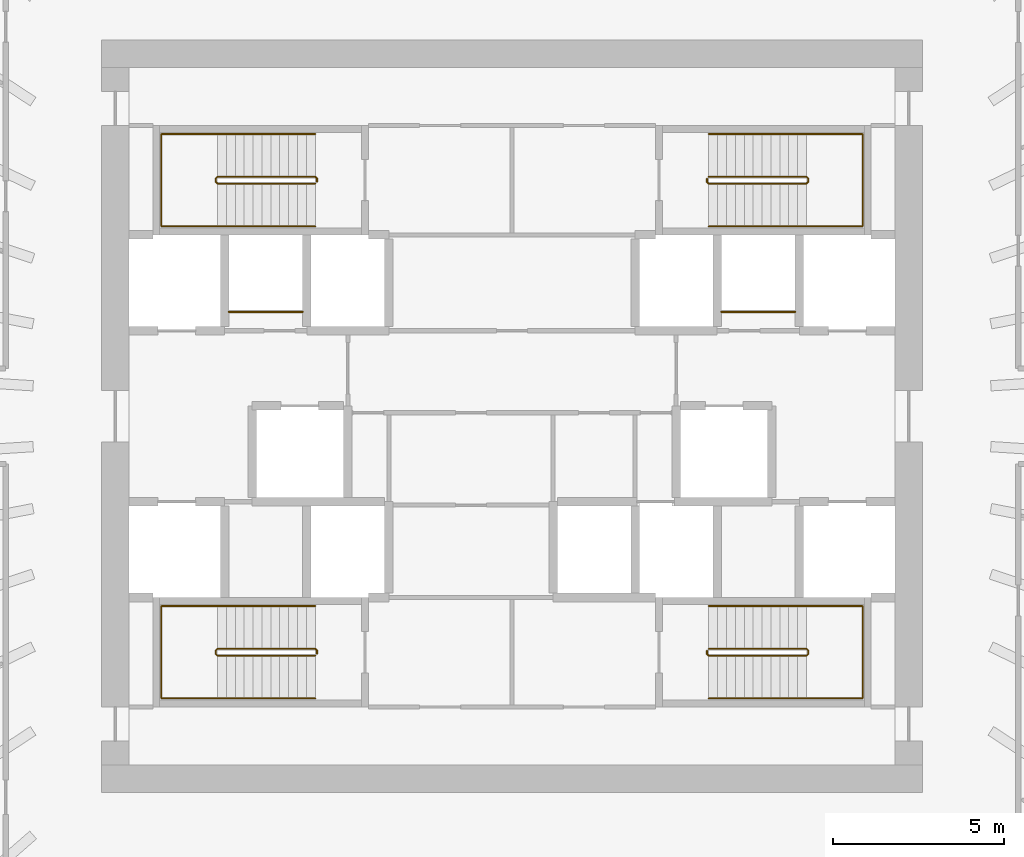
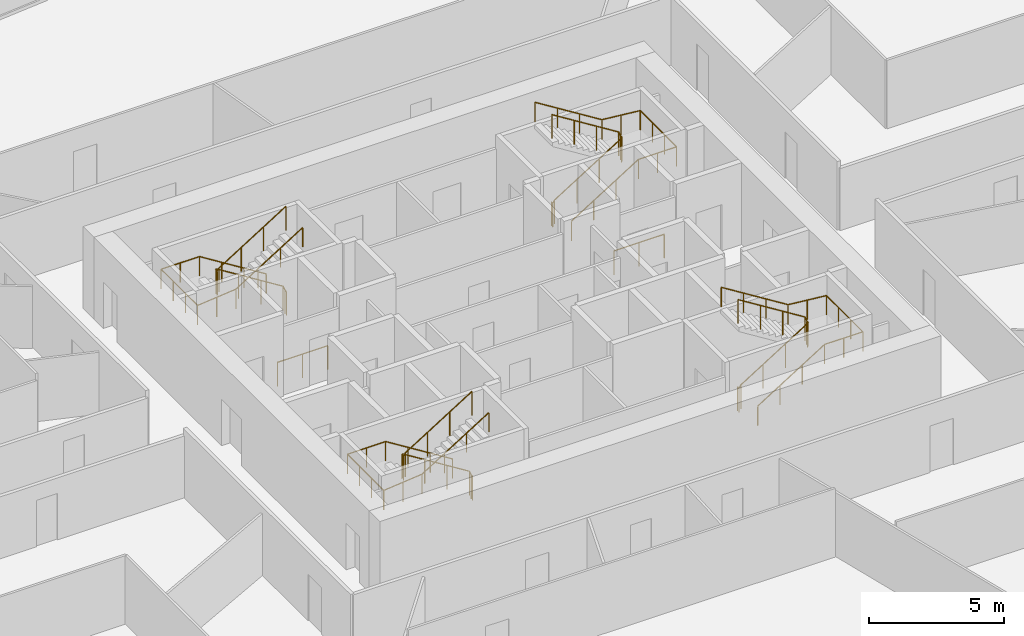
# One storey, part 11 of 11: 10 railings.
"""IFC4 building model written with IfcOpenShell, lengths in metres."""

from ifc_helpers import new_model, si_unit, direction, frame, origin, origin_2d, place, context, subcontext, project, spatial, circle, extrude, source, transform, mapped, material, type_object, element, save


model = new_model("IFC4")

# Units and contexts
model_context = context("Model", 3, precision=1e-05, world=origin(), true_north=direction((0.0, 1.0)))
body_context = subcontext(model_context, "Body", "Model", "MODEL_VIEW")
ifc_project = project(units=[si_unit("LENGTHUNIT", "METRE"), si_unit("AREAUNIT", "SQUARE_METRE"), si_unit("VOLUMEUNIT", "CUBIC_METRE"), si_unit("PLANEANGLEUNIT", "RADIAN"), si_unit("MASSUNIT", "GRAM", prefix="KILO")], contexts=[model_context])

# Site, building, storey
site_placement = place(None, origin())
site = spatial("IfcSite", under=ifc_project, at=site_placement, CompositionType="ELEMENT")
building_placement = place(site_placement, origin())
building = spatial("IfcBuilding", under=site, at=building_placement, Name="Embergate Tower", CompositionType="ELEMENT")
storey_placement = place(building_placement, frame((0.0, 0.0, 132.0)))
storey = spatial("IfcBuildingStorey", under=building, at=storey_placement, Name="L28", CompositionType="ELEMENT", Elevation=132.0)

# Railings
ifc_material_1 = material(Name="Stair guard 1100")
railing_type_1 = type_object("IfcRailingType", Name="Stair guard 1100", PredefinedType="GUARDRAIL", material=ifc_material_1)
shared_shape_1 = source(origin(), body_context, "Body", "SweptSolid", [
    extrude(circle(Radius=0.02392578125, at=origin_2d()), frame((0.0, 0.0, 1.076171875), z_axis=(0.0, 1.0, 0.0), x_axis=(-1.0, 0.0, 0.0)), (0.0, 0.0, 1.0), 0.099853515625),
    extrude(circle(Radius=0.02392578125, at=origin_2d()), frame((0.0, 0.099853515625, 1.076171875), z_axis=(-0.282227285176, 0.282227285176, 0.916894497205), x_axis=(-0.707106781187, -0.707106781187, 0.0)), (0.0, 0.0, 1.0), 0.17724609375),
    extrude(circle(Radius=0.02392578125, at=origin_2d()), frame((-0.050048828125, 0.14990234375, 1.23876953125), z_axis=(-0.848026770018, 0.0, 0.529953391661), x_axis=(0.0, -1.0, 0.0)), (0.0, 0.0, 1.0), 3.37255859375),
    extrude(circle(Radius=0.02392578125, at=origin_2d()), frame((-2.91015625, 0.14990234375, 3.02587890625), z_axis=(-0.705375805398, -0.708833529934, 0.0), x_axis=(0.708833529934, -0.705375805398, 0.0)), (0.0, 0.0, 1.0), 0.070556640625),
    extrude(circle(Radius=0.02392578125, at=origin_2d()), frame((-2.9599609375, 0.099853515625, 3.02587890625), z_axis=(0.0, -1.0, 0.0), x_axis=(1.0, 0.0, 0.0)), (0.0, 0.0, 1.0), 0.099853515625),
    extrude(circle(Radius=0.02392578125, at=origin_2d()), frame((-2.9599609375, 0.0, 3.02587890625), z_axis=(0.280959487676, -0.282336740067, 0.917250092119), x_axis=(0.708833529934, 0.705375805398, 0.0)), (0.0, 0.0, 1.0), 0.17724609375),
    extrude(circle(Radius=0.02392578125, at=origin_2d()), frame((-2.91015625, -0.050048828125, 3.1884765625), z_axis=(0.848026770018, 0.0, 0.529953391661), x_axis=(0.0, 1.0, 0.0)), (0.0, 0.0, 1.0), 3.37255859375),
    extrude(circle(Radius=0.02099609375, at=origin_2d()), origin(), (0.0, 0.0, 1.0), 1.052001953125),
    extrude(circle(Radius=0.02099609375, at=origin_2d()), frame((0.0, 0.099853515625, 0.0)), (0.0, 0.0, 1.0), 1.052001953125),
    extrude(circle(Radius=0.02099609375, at=origin_2d()), frame((-0.050048828125, 0.14990234375, 0.16259765625)), (0.0, 0.0, 1.0), 1.052001953125),
    extrude(circle(Radius=0.02099609375, at=origin_2d()), frame((-1.00341796875, 0.14990234375, 0.75830078125)), (0.0, 0.0, 1.0), 1.052001953125),
    extrude(circle(Radius=0.02099609375, at=origin_2d()), frame((-1.956787109375, 0.14990234375, 1.354248046875)), (0.0, 0.0, 1.0), 1.052001953125),
    extrude(circle(Radius=0.02099609375, at=origin_2d()), frame((-2.91015625, 0.14990234375, 1.949951171875)), (0.0, 0.0, 1.0), 1.052001953125),
    extrude(circle(Radius=0.02099609375, at=origin_2d()), frame((-2.9599609375, 0.099853515625, 1.949951171875)), (0.0, 0.0, 1.0), 1.052001953125),
    extrude(circle(Radius=0.02099609375, at=origin_2d()), frame((-2.9599609375, 0.0, 1.949951171875)), (0.0, 0.0, 1.0), 1.052001953125),
    extrude(circle(Radius=0.02099609375, at=origin_2d()), frame((-2.91015625, -0.050048828125, 2.112548828125)), (0.0, 0.0, 1.0), 1.052001953125),
    extrude(circle(Radius=0.02099609375, at=origin_2d()), frame((-1.956787109375, -0.050048828125, 2.708251953125)), (0.0, 0.0, 1.0), 1.052001953125),
    extrude(circle(Radius=0.02099609375, at=origin_2d()), frame((-1.00341796875, -0.050048828125, 3.30419921875)), (0.0, 0.0, 1.0), 1.052001953125),
    extrude(circle(Radius=0.02099609375, at=origin_2d()), frame((-0.050048828125, -0.050048828125, 3.89990234375)), (0.0, 0.0, 1.0), 1.052001953125),
])
for number, where, name in (
    (1, (-5.699951171875, 6.85009765625, 0.0), "L28 ST1 stair guard 1"),
    (2, (-5.699951171875, -6.949951171875, 0.0), "L28 ST3 stair guard 1"),
):
    element("IfcRailing", number, at=place(storey_placement, frame(where)), inside=storey, type_object=railing_type_1, Name=name, PredefinedType="GUARDRAIL", context=body_context, shape_type="MappedRepresentation", body=[
        mapped(shared_shape_1, transform((0.0, 0.0, 0.0))),
    ])
ifc_material_2 = material(Name="Stair handrail 900")
railing_type_2 = type_object("IfcRailingType", Name="Stair handrail 900", PredefinedType="HANDRAIL", material=ifc_material_2)
shared_shape_2 = source(origin(), body_context, "Body", "SweptSolid", [
    extrude(circle(Radius=0.02392578125, at=origin_2d()), frame((0.0, 0.0, 0.8759765625), z_axis=(-0.848026770018, 0.0, 0.529953391661), x_axis=(0.0, -1.0, 0.0)), (0.0, 0.0, 1.0), 3.37255859375),
    extrude(circle(Radius=0.02392578125, at=origin_2d()), frame((-2.860107421875, 0.0, 2.6630859375), z_axis=(-1.0, 0.0, 0.0), x_axis=(0.0, -1.0, 0.0)), (0.0, 0.0, 1.0), 1.639892578125),
    extrude(circle(Radius=0.02392578125, at=origin_2d()), frame((-4.5, 0.0, 2.6630859375), z_axis=(0.0, -1.0, 0.0), x_axis=(1.0, 0.0, 0.0)), (0.0, 0.0, 1.0), 2.699951171875),
    extrude(circle(Radius=0.02392578125, at=origin_2d()), frame((-4.5, -2.699951171875, 2.6630859375), z_axis=(0.995120448088, 0.0, 0.098667592441), x_axis=(0.0, 1.0, 0.0)), (0.0, 0.0, 1.0), 1.64794921875),
    extrude(circle(Radius=0.02392578125, at=origin_2d()), frame((-2.860107421875, -2.699951171875, 2.82568359375), z_axis=(0.848026770018, 0.0, 0.529953391661), x_axis=(0.0, 1.0, 0.0)), (0.0, 0.0, 1.0), 3.37255859375),
    extrude(circle(Radius=0.02099609375, at=origin_2d()), origin(), (0.0, 0.0, 1.0), 0.851806640625),
    extrude(circle(Radius=0.02099609375, at=origin_2d()), frame((-0.953369140625, 0.0, 0.595703125)), (0.0, 0.0, 1.0), 0.851806640625),
    extrude(circle(Radius=0.02099609375, at=origin_2d()), frame((-1.90673828125, 0.0, 1.191650390625)), (0.0, 0.0, 1.0), 0.851806640625),
    extrude(circle(Radius=0.02099609375, at=origin_2d()), frame((-2.860107421875, 0.0, 1.787353515625)), (0.0, 0.0, 1.0), 0.851806640625),
    extrude(circle(Radius=0.02099609375, at=origin_2d()), frame((-3.68017578125, 0.0, 1.787353515625)), (0.0, 0.0, 1.0), 0.851806640625),
    extrude(circle(Radius=0.02099609375, at=origin_2d()), frame((-4.5, 0.0, 1.787353515625)), (0.0, 0.0, 1.0), 0.851806640625),
    extrude(circle(Radius=0.02099609375, at=origin_2d()), frame((-4.5, -0.89990234375, 1.787353515625)), (0.0, 0.0, 1.0), 0.851806640625),
    extrude(circle(Radius=0.02099609375, at=origin_2d()), frame((-4.5, -1.800048828125, 1.787353515625)), (0.0, 0.0, 1.0), 0.851806640625),
    extrude(circle(Radius=0.02099609375, at=origin_2d()), frame((-4.5, -2.699951171875, 1.787353515625)), (0.0, 0.0, 1.0), 0.851806640625),
    extrude(circle(Radius=0.02099609375, at=origin_2d()), frame((-3.68017578125, -2.699951171875, 1.86865234375)), (0.0, 0.0, 1.0), 0.851806640625),
    extrude(circle(Radius=0.02099609375, at=origin_2d()), frame((-2.860107421875, -2.699951171875, 1.949951171875)), (0.0, 0.0, 1.0), 0.851806640625),
    extrude(circle(Radius=0.02099609375, at=origin_2d()), frame((-1.90673828125, -2.699951171875, 2.545654296875)), (0.0, 0.0, 1.0), 0.851806640625),
    extrude(circle(Radius=0.02099609375, at=origin_2d()), frame((-0.953369140625, -2.699951171875, 3.1416015625)), (0.0, 0.0, 1.0), 0.851806640625),
    extrude(circle(Radius=0.02099609375, at=origin_2d()), frame((0.0, -2.699951171875, 3.7373046875)), (0.0, 0.0, 1.0), 0.851806640625),
])
for number, where, name in (
    (3, (-5.75, 8.25, 0.16259765625), "L28 ST1 stair handrail 1"),
    (4, (-5.75, -5.550048828125, 0.16259765625), "L28 ST3 stair handrail 1"),
):
    element("IfcRailing", number, at=place(storey_placement, frame(where)), inside=storey, type_object=railing_type_2, Name=name, PredefinedType="HANDRAIL", context=body_context, shape_type="MappedRepresentation", body=[
        mapped(shared_shape_2, transform((0.0, 0.0, 0.0))),
    ])
shared_shape_3 = source(origin(), body_context, "Body", "SweptSolid", [
    extrude(circle(Radius=0.02392578125, at=origin_2d()), frame((0.0, 0.0, 1.076171875), z_axis=(0.0, -1.0, 0.0), x_axis=(1.0, 0.0, 0.0)), (0.0, 0.0, 1.0), 0.099853515625),
    extrude(circle(Radius=0.02392578125, at=origin_2d()), frame((0.0, -0.099853515625, 1.076171875), z_axis=(0.282227285176, -0.282227285176, 0.916894497205), x_axis=(0.707106781187, 0.707106781187, 0.0)), (0.0, 0.0, 1.0), 0.17724609375),
    extrude(circle(Radius=0.02392578125, at=origin_2d()), frame((0.050048828125, -0.14990234375, 1.23876953125), z_axis=(0.848026770018, 0.0, 0.529953391661), x_axis=(0.0, 1.0, 0.0)), (0.0, 0.0, 1.0), 3.37255859375),
    extrude(circle(Radius=0.02392578125, at=origin_2d()), frame((2.91015625, -0.14990234375, 3.02587890625), z_axis=(0.705375805398, 0.708833529934, 0.0), x_axis=(-0.708833529934, 0.705375805398, 0.0)), (0.0, 0.0, 1.0), 0.070556640625),
    extrude(circle(Radius=0.02392578125, at=origin_2d()), frame((2.9599609375, -0.099853515625, 3.02587890625), z_axis=(0.0, 1.0, 0.0), x_axis=(-1.0, 0.0, 0.0)), (0.0, 0.0, 1.0), 0.099853515625),
    extrude(circle(Radius=0.02392578125, at=origin_2d()), frame((2.9599609375, 0.0, 3.02587890625), z_axis=(-0.280959487676, 0.282336740067, 0.917250092119), x_axis=(-0.708833529934, -0.705375805398, 0.0)), (0.0, 0.0, 1.0), 0.17724609375),
    extrude(circle(Radius=0.02392578125, at=origin_2d()), frame((2.91015625, 0.050048828125, 3.1884765625), z_axis=(-0.848026770018, 0.0, 0.529953391661), x_axis=(0.0, -1.0, 0.0)), (0.0, 0.0, 1.0), 3.37255859375),
    extrude(circle(Radius=0.02099609375, at=origin_2d()), origin(), (0.0, 0.0, 1.0), 1.052001953125),
    extrude(circle(Radius=0.02099609375, at=origin_2d()), frame((0.0, -0.099853515625, 0.0)), (0.0, 0.0, 1.0), 1.052001953125),
    extrude(circle(Radius=0.02099609375, at=origin_2d()), frame((0.050048828125, -0.14990234375, 0.16259765625)), (0.0, 0.0, 1.0), 1.052001953125),
    extrude(circle(Radius=0.02099609375, at=origin_2d()), frame((1.00341796875, -0.14990234375, 0.75830078125)), (0.0, 0.0, 1.0), 1.052001953125),
    extrude(circle(Radius=0.02099609375, at=origin_2d()), frame((1.956787109375, -0.14990234375, 1.354248046875)), (0.0, 0.0, 1.0), 1.052001953125),
    extrude(circle(Radius=0.02099609375, at=origin_2d()), frame((2.91015625, -0.14990234375, 1.949951171875)), (0.0, 0.0, 1.0), 1.052001953125),
    extrude(circle(Radius=0.02099609375, at=origin_2d()), frame((2.9599609375, -0.099853515625, 1.949951171875)), (0.0, 0.0, 1.0), 1.052001953125),
    extrude(circle(Radius=0.02099609375, at=origin_2d()), frame((2.9599609375, 0.0, 1.949951171875)), (0.0, 0.0, 1.0), 1.052001953125),
    extrude(circle(Radius=0.02099609375, at=origin_2d()), frame((2.91015625, 0.050048828125, 2.112548828125)), (0.0, 0.0, 1.0), 1.052001953125),
    extrude(circle(Radius=0.02099609375, at=origin_2d()), frame((1.956787109375, 0.050048828125, 2.708251953125)), (0.0, 0.0, 1.0), 1.052001953125),
    extrude(circle(Radius=0.02099609375, at=origin_2d()), frame((1.00341796875, 0.050048828125, 3.30419921875)), (0.0, 0.0, 1.0), 1.052001953125),
    extrude(circle(Radius=0.02099609375, at=origin_2d()), frame((0.050048828125, 0.050048828125, 3.89990234375)), (0.0, 0.0, 1.0), 1.052001953125),
])
for number, where, name in (
    (5, (5.699951171875, 6.949951171875, 0.0), "L28 ST2 stair guard 1"),
    (6, (5.699951171875, -6.85009765625, 0.0), "L28 ST4 stair guard 1"),
):
    element("IfcRailing", number, at=place(storey_placement, frame(where)), inside=storey, type_object=railing_type_1, Name=name, PredefinedType="GUARDRAIL", context=body_context, shape_type="MappedRepresentation", body=[
        mapped(shared_shape_3, transform((0.0, 0.0, 0.0))),
    ])
shared_shape_4 = source(origin(), body_context, "Body", "SweptSolid", [
    extrude(circle(Radius=0.02392578125, at=origin_2d()), frame((0.0, 0.0, 0.8759765625), z_axis=(0.848026770018, 0.0, 0.529953391661), x_axis=(0.0, 1.0, 0.0)), (0.0, 0.0, 1.0), 3.37255859375),
    extrude(circle(Radius=0.02392578125, at=origin_2d()), frame((2.860107421875, 0.0, 2.6630859375), z_axis=(1.0, 0.0, 0.0), x_axis=(0.0, 1.0, 0.0)), (0.0, 0.0, 1.0), 1.639892578125),
    extrude(circle(Radius=0.02392578125, at=origin_2d()), frame((4.5, 0.0, 2.6630859375), z_axis=(0.0, 1.0, 0.0), x_axis=(-1.0, 0.0, 0.0)), (0.0, 0.0, 1.0), 2.699951171875),
    extrude(circle(Radius=0.02392578125, at=origin_2d()), frame((4.5, 2.699951171875, 2.6630859375), z_axis=(-0.995120448088, 0.0, 0.098667592441), x_axis=(0.0, -1.0, 0.0)), (0.0, 0.0, 1.0), 1.64794921875),
    extrude(circle(Radius=0.02392578125, at=origin_2d()), frame((2.860107421875, 2.699951171875, 2.82568359375), z_axis=(-0.848026770018, 0.0, 0.529953391661), x_axis=(0.0, -1.0, 0.0)), (0.0, 0.0, 1.0), 3.37255859375),
    extrude(circle(Radius=0.02099609375, at=origin_2d()), origin(), (0.0, 0.0, 1.0), 0.851806640625),
    extrude(circle(Radius=0.02099609375, at=origin_2d()), frame((0.953369140625, 0.0, 0.595703125)), (0.0, 0.0, 1.0), 0.851806640625),
    extrude(circle(Radius=0.02099609375, at=origin_2d()), frame((1.90673828125, 0.0, 1.191650390625)), (0.0, 0.0, 1.0), 0.851806640625),
    extrude(circle(Radius=0.02099609375, at=origin_2d()), frame((2.860107421875, 0.0, 1.787353515625)), (0.0, 0.0, 1.0), 0.851806640625),
    extrude(circle(Radius=0.02099609375, at=origin_2d()), frame((3.68017578125, 0.0, 1.787353515625)), (0.0, 0.0, 1.0), 0.851806640625),
    extrude(circle(Radius=0.02099609375, at=origin_2d()), frame((4.5, 0.0, 1.787353515625)), (0.0, 0.0, 1.0), 0.851806640625),
    extrude(circle(Radius=0.02099609375, at=origin_2d()), frame((4.5, 0.89990234375, 1.787353515625)), (0.0, 0.0, 1.0), 0.851806640625),
    extrude(circle(Radius=0.02099609375, at=origin_2d()), frame((4.5, 1.800048828125, 1.787353515625)), (0.0, 0.0, 1.0), 0.851806640625),
    extrude(circle(Radius=0.02099609375, at=origin_2d()), frame((4.5, 2.699951171875, 1.787353515625)), (0.0, 0.0, 1.0), 0.851806640625),
    extrude(circle(Radius=0.02099609375, at=origin_2d()), frame((3.68017578125, 2.699951171875, 1.86865234375)), (0.0, 0.0, 1.0), 0.851806640625),
    extrude(circle(Radius=0.02099609375, at=origin_2d()), frame((2.860107421875, 2.699951171875, 1.949951171875)), (0.0, 0.0, 1.0), 0.851806640625),
    extrude(circle(Radius=0.02099609375, at=origin_2d()), frame((1.90673828125, 2.699951171875, 2.545654296875)), (0.0, 0.0, 1.0), 0.851806640625),
    extrude(circle(Radius=0.02099609375, at=origin_2d()), frame((0.953369140625, 2.699951171875, 3.1416015625)), (0.0, 0.0, 1.0), 0.851806640625),
    extrude(circle(Radius=0.02099609375, at=origin_2d()), frame((0.0, 2.699951171875, 3.7373046875)), (0.0, 0.0, 1.0), 0.851806640625),
])
for number, where, name in (
    (7, (5.75, 5.550048828125, 0.16259765625), "L28 ST2 stair handrail 1"),
    (8, (5.75, -8.25, 0.16259765625), "L28 ST4 stair handrail 1"),
):
    element("IfcRailing", number, at=place(storey_placement, frame(where)), inside=storey, type_object=railing_type_2, Name=name, PredefinedType="HANDRAIL", context=body_context, shape_type="MappedRepresentation", body=[
        mapped(shared_shape_4, transform((0.0, 0.0, 0.0))),
    ])
ifc_material_3 = material(Name="Opening guard 1100")
railing_type_3 = type_object("IfcRailingType", Name="Opening guard 1100", PredefinedType="GUARDRAIL", material=ifc_material_3)
shared_shape_5 = source(origin(), body_context, "Body", "SweptSolid", [
    extrude(circle(Radius=0.02392578125, at=origin_2d()), frame((0.0, 0.0, 1.076171875), z_axis=(1.0, 0.0, 0.0), x_axis=(0.0, 1.0, 0.0)), (0.0, 0.0, 1.0), 2.14990234375),
    extrude(circle(Radius=0.02099609375, at=origin_2d()), origin(), (0.0, 0.0, 1.0), 1.052001953125),
    extrude(circle(Radius=0.02099609375, at=origin_2d()), frame((1.074951171875, 0.0, 0.0)), (0.0, 0.0, 1.0), 1.052001953125),
    extrude(circle(Radius=0.02099609375, at=origin_2d()), frame((2.14990234375, 0.0, 0.0)), (0.0, 0.0, 1.0), 1.052001953125),
])
for number, where, name in (
    (9, (-8.27490234375, 3.050048828125, 0.0), "Riser opening guard"),
    (10, (6.125, 3.050048828125, 0.0), "Riser opening guard"),
):
    element("IfcRailing", number, at=place(storey_placement, frame(where)), inside=storey, type_object=railing_type_3, Name=name, PredefinedType="GUARDRAIL", context=body_context, shape_type="MappedRepresentation", body=[
        mapped(shared_shape_5, transform((0.0, 0.0, 0.0))),
    ])

save(model, "model.ifc")
